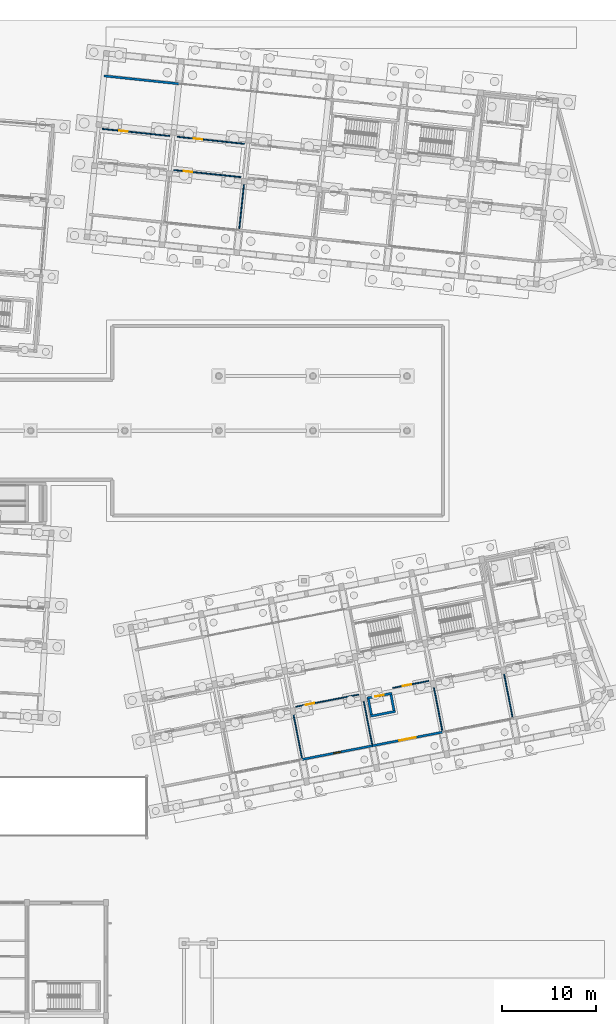
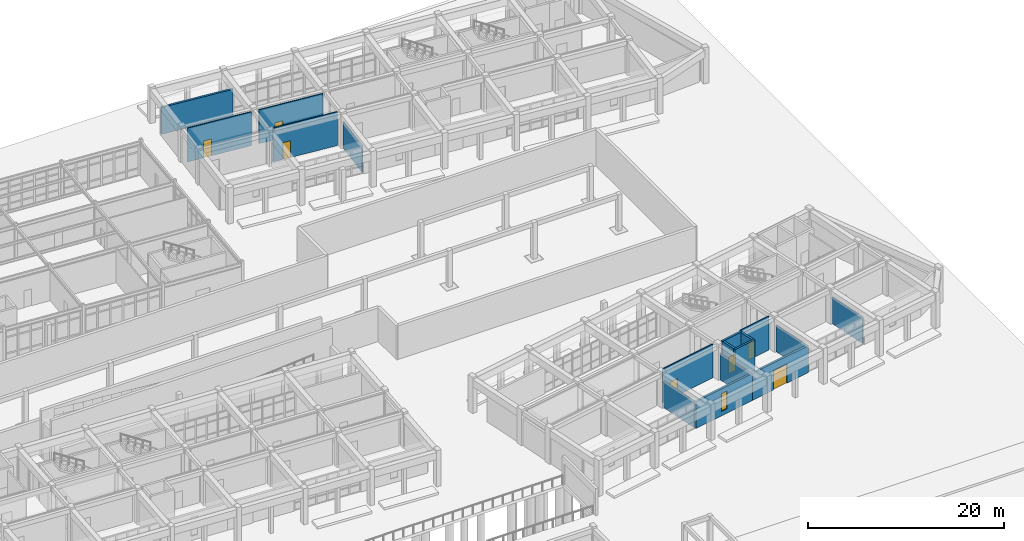
# One storey, part 127 of 154: 17 walls, 7 doors, 1 window, 8 openings.
"""IFC4 building model written with IfcOpenShell, lengths in metres."""

from ifc_helpers import new_model, si_unit, direction, frame, frame_2d, origin, place, context, subcontext, project, spatial, rectangle, extrude, material, layer, layer_set, type_object, element, fill, save


model = new_model("IFC4")

# Units and contexts
model_context = context("Model", 3, precision=1e-05, world=origin(), true_north=direction((0.0, 1.0)))
body_context = subcontext(model_context, "Body", "Model", "MODEL_VIEW")
ifc_project = project(units=[si_unit("LENGTHUNIT", "METRE"), si_unit("AREAUNIT", "SQUARE_METRE"), si_unit("VOLUMEUNIT", "CUBIC_METRE"), si_unit("PLANEANGLEUNIT", "RADIAN"), si_unit("MASSUNIT", "GRAM", prefix="KILO")], contexts=[model_context])

# Site, building, storey
site_placement = place(None, origin())
site = spatial("IfcSite", under=ifc_project, at=site_placement, CompositionType="ELEMENT")
building_placement = place(site_placement, origin())
building = spatial("IfcBuilding", under=site, at=building_placement, Name="Kestramere Prow Commons", CompositionType="ELEMENT")
storey_placement = place(building_placement, origin())
storey = spatial("IfcBuildingStorey", under=building, at=storey_placement, Name="L00", CompositionType="ELEMENT", Elevation=0.0)

# Wall
ifc_material_1 = material(Name="Fluoropolymer Standing-Seam Zinc-Aluminium Cladding", Category="aluminium")
ifc_layer_1 = layer(ifc_material_1, 0.239990234375)
ifc_layer_set_1 = layer_set([ifc_layer_1], Name="Fluoropolymer Standing-Seam Zinc-Aluminium Cladding")
wall_type_1 = type_object("IfcWallType", Name="EW-SEAM-240", PredefinedType="SOLIDWALL", material=ifc_layer_set_1)
wall_1_placement = place(storey_placement, frame((111.7978515625, 111.90576171875, 0.0), z_axis=(0.0, 0.0, 1.0), x_axis=(0.994522662826, -0.104521161134, 0.0)))
element("IfcWall", 1, at=wall_1_placement, inside=storey, type_object=wall_type_1, Name="Block B L00 North Recessed Wall 1", PredefinedType="SOLIDWALL", context=body_context, shape_type="SweptSolid", body=[
    extrude(rectangle(XDim=8.0, YDim=0.239990234375, at=frame_2d((4.0, 0.0))), origin(), (0.0, 0.0, 1.0), 3.35009765625),
])

# Wall, opening, window
wall_2_placement = place(storey_placement, frame((140.3232421875, 40.706298828125, 0.0), z_axis=(0.0, 0.0, 1.0), x_axis=(-0.981626422232, -0.190812911449, 0.0)))
wall_2 = element("IfcWall", 2, at=wall_2_placement, inside=storey, type_object=wall_type_1, Name="Block D L00 South Recessed Wall 3", PredefinedType="SOLIDWALL", context=body_context, shape_type="SweptSolid", body=[
    extrude(rectangle(XDim=7.60009765625, YDim=0.239990234375, at=frame_2d((3.800048828125, 0.0))), origin(), (0.0, 0.0, 1.0), 3.35009765625),
])
opening_1_placement = place(wall_2_placement, frame((3.409912109375, 0.0, 0.550048828125)))
opening_1 = element("IfcOpeningElement", 3, at=opening_1_placement, cuts=wall_2, Name="Opening WN-11", PredefinedType="OPENING", context=body_context, shape_type="SweptSolid", body=[
    extrude(rectangle(XDim=0.780029296875, YDim=2.199951171875, at=frame_2d((0.39013671875, 1.10009765625))), frame((0.0, 0.135009765625, 0.0), z_axis=(0.0, -1.0, 0.0), x_axis=(1.0, 0.0, 0.0)), (0.0, 0.0, 1.0), 0.27001953125),
])
ifc_material_2 = material(Name="Low-E Laminated Double Glazing", Category="glass")
window_type = type_object("IfcWindowType", Name="WN-NAR-780A", PartitioningType="SINGLE_PANEL", PredefinedType="WINDOW", material=ifc_material_2)
window_placement = place(opening_1_placement, origin())
window = element("IfcWindow", 4, at=window_placement, inside=storey, type_object=window_type, Name="WN-D-L00-S-2", OverallHeight=2.199951171875, OverallWidth=0.780029296875, PartitioningType="SINGLE_PANEL", PredefinedType="WINDOW", context=body_context, shape_type="SweptSolid", body=[
    extrude(rectangle(XDim=0.780029296875, YDim=2.199951171875, at=frame_2d((0.39013671875, 1.10009765625))), frame((0.0, 0.030029296875, 0.0), z_axis=(0.0, -1.0, 0.0), x_axis=(1.0, 0.0, 0.0)), (0.0, 0.0, 1.0), 0.06005859375),
])
fill(opening_1, window)

# Wall, opening, door
wall_3_placement = place(storey_placement, frame((147.783447265625, 42.156494140625, 0.0), z_axis=(0.0, 0.0, 1.0), x_axis=(-0.981625252578, -0.19081892857, 0.0)))
wall_3 = element("IfcWall", 5, at=wall_3_placement, inside=storey, type_object=wall_type_1, Name="Block D L00 South Recessed Wall 4", PredefinedType="SOLIDWALL", context=body_context, shape_type="SweptSolid", body=[
    extrude(rectangle(XDim=7.599853515625, YDim=0.239990234375, at=frame_2d((3.7998046875, 0.0))), origin(), (0.0, 0.0, 1.0), 3.35009765625),
])
opening_2_placement = place(wall_3_placement, frame((2.89990234375, 0.0, 0.0)))
opening_2 = element("IfcOpeningElement", 6, at=opening_2_placement, cuts=wall_3, Name="Opening ED-01", PredefinedType="OPENING", context=body_context, shape_type="SweptSolid", body=[
    extrude(rectangle(XDim=1.800048828125, YDim=2.39990234375, at=frame_2d((0.89990234375, 1.199951171875))), frame((0.0, 0.135009765625, 0.0), z_axis=(0.0, -1.0, 0.0), x_axis=(1.0, 0.0, 0.0)), (0.0, 0.0, 1.0), 0.27001953125),
])
ifc_material_3 = material(Name="Thermally-Broken Anodised Aluminium Glazed", Category="aluminium")
door_type_1 = type_object("IfcDoorType", Name="ED-MAIN-1800", OperationType="DOUBLE_DOOR_SINGLE_SWING", PredefinedType="DOOR", material=ifc_material_3)
door_1_placement = place(opening_2_placement, origin())
door_1 = element("IfcDoor", 7, at=door_1_placement, inside=storey, type_object=door_type_1, Name="Block D Main Sheltered Entrance Door", OperationType="DOUBLE_DOOR_SINGLE_SWING", OverallHeight=2.39990234375, OverallWidth=1.800048828125, PredefinedType="DOOR", context=body_context, shape_type="SweptSolid", body=[
    extrude(rectangle(XDim=1.800048828125, YDim=2.39990234375, at=frame_2d((0.89990234375, 1.199951171875))), frame((0.0, 0.02490234375, 0.0), z_axis=(0.0, -1.0, 0.0), x_axis=(1.0, 0.0, 0.0)), (0.0, 0.0, 1.0), 0.050048828125),
])
fill(opening_2, door_1)

# Wall
ifc_material_4 = material(Name="Concrete C40/50", Category="concrete")
ifc_layer_2 = layer(ifc_material_4, 0.25)
ifc_layer_set_2 = layer_set([ifc_layer_2], Name="Concrete C40/50")
wall_type_2 = type_object("IfcWallType", Name="W-HS-250", PredefinedType="SHEAR", material=ifc_layer_set_2)
wall_4_placement = place(storey_placement, frame((140.11962890625, 43.850341796875, -0.35009765625), z_axis=(0.0, 0.0, 1.0), x_axis=(0.981630445883, 0.190792210834, 0.0)))
element("IfcWall", 8, at=wall_4_placement, inside=storey, type_object=wall_type_2, Name="Block D L00 Household Shelter South Wall", PredefinedType="SHEAR", context=body_context, shape_type="SweptSolid", body=[
    extrude(rectangle(XDim=2.699951171875, YDim=0.25, at=frame_2d((1.35009765625, 0.0))), origin(), (0.0, 0.0, 1.0), 4.85009765625),
])

# Wall, opening, door
wall_5_placement = place(storey_placement, frame((139.74755859375, 45.764404296875, -0.35009765625), z_axis=(0.0, 0.0, 1.0), x_axis=(0.981630445883, 0.190792210834, 0.0)))
wall_5 = element("IfcWall", 9, at=wall_5_placement, inside=storey, type_object=wall_type_2, Name="Block D L00 Household Shelter North Wall", PredefinedType="SHEAR", context=body_context, shape_type="SweptSolid", body=[
    extrude(rectangle(XDim=2.699951171875, YDim=0.25, at=frame_2d((1.35009765625, 0.0))), origin(), (0.0, 0.0, 1.0), 4.85009765625),
])
opening_3_placement = place(wall_5_placement, frame((0.89990234375, 0.0, 0.35009765625)))
opening_3 = element("IfcOpeningElement", 10, at=opening_3_placement, cuts=wall_5, Name="Opening ID-06", PredefinedType="OPENING", context=body_context, shape_type="SweptSolid", body=[
    extrude(rectangle(XDim=0.89990234375, YDim=2.050048828125, at=frame_2d((0.449951171875, 1.02490234375))), frame((0.0, 0.139892578125, 0.0), z_axis=(0.0, -1.0, 0.0), x_axis=(1.0, 0.0, 0.0)), (0.0, 0.0, 1.0), 0.280029296875),
])
ifc_material_5 = material(Name="Galvanised Steel S275JR Household Shelter Door", Category="steel")
door_type_2 = type_object("IfcDoorType", Name="FD-HS-01", OperationType="NOTDEFINED", PredefinedType="DOOR", material=ifc_material_5)
door_2_placement = place(opening_3_placement, origin())
door_2 = element("IfcDoor", 11, at=door_2_placement, inside=storey, type_object=door_type_2, Name="Block D L00 Household Shelter Blast Door", OperationType="SINGLE_SWING_RIGHT", OverallHeight=2.050048828125, OverallWidth=0.89990234375, PredefinedType="DOOR", context=body_context, shape_type="SweptSolid", body=[
    extrude(rectangle(XDim=0.89990234375, YDim=2.050048828125, at=frame_2d((0.449951171875, 1.02490234375))), frame((0.0, 0.02490234375, 0.0), z_axis=(0.0, -1.0, 0.0), x_axis=(1.0, 0.0, 0.0)), (0.0, 0.0, 1.0), 0.050048828125),
])
fill(opening_3, door_2)

# Walls
for number, where, z_axis, x_axis, name in (
    (12, (140.21826171875, 43.996826171875, -0.35009765625), (0.0, 0.0, 1.0), (-0.190727425199, 0.981643035567, 0.0), "Block D L00 Household Shelter W Wall"),
    (13, (142.623291015625, 44.46435546875, -0.35009765625), (0.0, 0.0, 1.0), (-0.190727425199, 0.981643035567, 0.0), "Block D L00 Household Shelter E Wall"),
):
    element("IfcWall", number, at=place(storey_placement, frame(where, z_axis=z_axis, x_axis=x_axis)), inside=storey, type_object=wall_type_2, Name=name, PredefinedType="SHEAR", context=body_context, shape_type="SweptSolid", body=[
        extrude(rectangle(XDim=1.699951171875, YDim=0.25, at=frame_2d((0.85009765625, 0.0))), origin(), (0.0, 0.0, 1.0), 4.85009765625),
    ])

# Wall, opening, door
ifc_material_6 = material(Name="Lightweight Blockwork and Plaster", Category="masonry")
ifc_layer_3 = layer(ifc_material_6, 0.1201171875)
ifc_layer_set_3 = layer_set([ifc_layer_3], Name="Lightweight Blockwork and Plaster")
wall_type_3 = type_object("IfcWallType", Name="W-PART-120", PredefinedType="PARTITIONING", material=ifc_layer_set_3)
wall_6_placement = place(storey_placement, frame((119.1923828125, 101.89794921875, 0.0), z_axis=(0.0, 0.0, 1.0), x_axis=(0.994524017661, -0.104508269032, 0.0)))
wall_6 = element("IfcWall", 14, at=wall_6_placement, inside=storey, type_object=wall_type_3, Name="Interior Partition PW-B-L00-CS-1", PredefinedType="PARTITIONING", context=body_context, shape_type="SweptSolid", body=[
    extrude(rectangle(XDim=7.19970703125, YDim=0.1201171875, at=frame_2d((3.599853515625, 0.0))), origin(), (0.0, 0.0, 1.0), 4.219970703125),
])
opening_4_placement = place(wall_6_placement, frame((1.10009765625, 0.0, 0.0)))
opening_4 = element("IfcOpeningElement", 15, at=opening_4_placement, cuts=wall_6, Name="Opening ID-10", PredefinedType="OPENING", context=body_context, shape_type="SweptSolid", body=[
    extrude(rectangle(XDim=0.8798828125, YDim=2.10009765625, at=frame_2d((0.43994140625, 1.050048828125))), frame((0.0, 0.074951171875, 0.0), z_axis=(0.0, -1.0, 0.0), x_axis=(1.0, 0.0, 0.0)), (0.0, 0.0, 1.0), 0.150146484375),
])
ifc_material_7 = material(Name="Engineered Timber Bedroom Door", Category="wood")
door_type_3 = type_object("IfcDoorType", Name="D-RM-03", OperationType="NOTDEFINED", PredefinedType="DOOR", material=ifc_material_7)
door_3_placement = place(opening_4_placement, origin())
door_3 = element("IfcDoor", 16, at=door_3_placement, inside=storey, type_object=door_type_3, Name="Interior Door DR-B-L00-S-1", OperationType="SINGLE_SWING_RIGHT", OverallHeight=2.10009765625, OverallWidth=0.8798828125, PredefinedType="DOOR", context=body_context, shape_type="SweptSolid", body=[
    extrude(rectangle(XDim=0.8798828125, YDim=2.10009765625, at=frame_2d((0.43994140625, 1.050048828125))), frame((0.0, 0.02490234375, 0.0), z_axis=(0.0, -1.0, 0.0), x_axis=(1.0, 0.0, 0.0)), (0.0, 0.0, 1.0), 0.050048828125),
])
fill(opening_4, door_3)

# Wall
wall_7_placement = place(storey_placement, frame((126.1767578125, 95.643798828125, 0.0), z_axis=(0.0, 0.0, 1.0), x_axis=(0.104561446505, 0.994518428137, 0.0)))
element("IfcWall", 17, at=wall_7_placement, inside=storey, type_object=wall_type_3, Name="Interior Partition PW-B-L00-DVS-2", PredefinedType="PARTITIONING", context=body_context, shape_type="SweptSolid", body=[
    extrude(rectangle(XDim=4.73974609375, YDim=0.1201171875, at=frame_2d((2.369873046875, 0.0))), origin(), (0.0, 0.0, 1.0), 3.320068359375),
])

# Wall, opening, door
wall_8_placement = place(storey_placement, frame((111.608154296875, 106.274658203125, 0.0), z_axis=(0.0, 0.0, 1.0), x_axis=(0.994524387998, -0.10450474476, 0.0)))
wall_8 = element("IfcWall", 18, at=wall_8_placement, inside=storey, type_object=wall_type_3, Name="Interior Partition PW-B-L00-CN-0", PredefinedType="PARTITIONING", context=body_context, shape_type="SweptSolid", body=[
    extrude(rectangle(XDim=7.199951171875, YDim=0.1201171875, at=frame_2d((3.60009765625, 0.0))), origin(), (0.0, 0.0, 1.0), 4.219970703125),
])
opening_5_placement = place(wall_8_placement, frame((1.800048828125, 0.0, 0.0)))
opening_5 = element("IfcOpeningElement", 19, at=opening_5_placement, cuts=wall_8, Name="Opening ID-08", PredefinedType="OPENING", context=body_context, shape_type="SweptSolid", body=[
    extrude(rectangle(XDim=0.89990234375, YDim=2.10009765625, at=frame_2d((0.449951171875, 1.050048828125))), frame((0.0, 0.074951171875, 0.0), z_axis=(0.0, -1.0, 0.0), x_axis=(1.0, 0.0, 0.0)), (0.0, 0.0, 1.0), 0.150146484375),
])
ifc_material_8 = material(Name="Engineered Timber Flush Door", Category="wood")
door_type_4 = type_object("IfcDoorType", Name="D-RM-01", OperationType="NOTDEFINED", PredefinedType="DOOR", material=ifc_material_8)
door_4_placement = place(opening_5_placement, origin())
door_4 = element("IfcDoor", 20, at=door_4_placement, inside=storey, type_object=door_type_4, Name="Interior Door DR-B-L00-N-0", OperationType="SINGLE_SWING_RIGHT", OverallHeight=2.10009765625, OverallWidth=0.89990234375, PredefinedType="DOOR", context=body_context, shape_type="SweptSolid", body=[
    extrude(rectangle(XDim=0.89990234375, YDim=2.10009765625, at=frame_2d((0.449951171875, 1.050048828125))), frame((0.0, 0.02490234375, 0.0), z_axis=(0.0, -1.0, 0.0), x_axis=(1.0, 0.0, 0.0)), (0.0, 0.0, 1.0), 0.050048828125),
])
fill(opening_5, door_4)

wall_9_placement = place(storey_placement, frame((119.564453125, 105.4384765625, 0.0), z_axis=(0.0, 0.0, 1.0), x_axis=(0.994524387998, -0.10450474476, 0.0)))
wall_9 = element("IfcWall", 21, at=wall_9_placement, inside=storey, type_object=wall_type_3, Name="Interior Partition PW-B-L00-CN-1", PredefinedType="PARTITIONING", context=body_context, shape_type="SweptSolid", body=[
    extrude(rectangle(XDim=7.199951171875, YDim=0.1201171875, at=frame_2d((3.60009765625, 0.0))), origin(), (0.0, 0.0, 1.0), 4.219970703125),
])
opening_6_placement = place(wall_9_placement, frame((1.800048828125, 0.0, 0.0)))
opening_6 = element("IfcOpeningElement", 22, at=opening_6_placement, cuts=wall_9, Name="Opening ID-10", PredefinedType="OPENING", context=body_context, shape_type="SweptSolid", body=[
    extrude(rectangle(XDim=0.8798828125, YDim=2.10009765625, at=frame_2d((0.43994140625, 1.050048828125))), frame((0.0, 0.074951171875, 0.0), z_axis=(0.0, -1.0, 0.0), x_axis=(1.0, 0.0, 0.0)), (0.0, 0.0, 1.0), 0.150146484375),
])
door_5_placement = place(opening_6_placement, origin())
door_5 = element("IfcDoor", 23, at=door_5_placement, inside=storey, type_object=door_type_3, Name="Interior Door DR-B-L00-N-1", OperationType="SINGLE_SWING_LEFT", OverallHeight=2.10009765625, OverallWidth=0.8798828125, PredefinedType="DOOR", context=body_context, shape_type="SweptSolid", body=[
    extrude(rectangle(XDim=0.8798828125, YDim=2.10009765625, at=frame_2d((0.43994140625, 1.050048828125))), frame((0.0, 0.02490234375, 0.0), z_axis=(0.0, -1.0, 0.0), x_axis=(1.0, 0.0, 0.0)), (0.0, 0.0, 1.0), 0.050048828125),
])
fill(opening_6, door_5)

wall_10_placement = place(storey_placement, frame((132.18310546875, 44.849365234375, 0.0), z_axis=(0.0, 0.0, 1.0), x_axis=(0.981630895566, 0.190789897189, 0.0)))
wall_10 = element("IfcWall", 24, at=wall_10_placement, inside=storey, type_object=wall_type_3, Name="Interior Partition PW-D-L00-CS-2", PredefinedType="PARTITIONING", context=body_context, shape_type="SweptSolid", body=[
    extrude(rectangle(XDim=6.800048828125, YDim=0.1201171875, at=frame_2d((3.39990234375, 0.0))), origin(), (0.0, 0.0, 1.0), 4.219970703125),
])
opening_7_placement = place(wall_10_placement, frame((1.10009765625, 0.0, 0.0)))
opening_7 = element("IfcOpeningElement", 25, at=opening_7_placement, cuts=wall_10, Name="Opening ID-08", PredefinedType="OPENING", context=body_context, shape_type="SweptSolid", body=[
    extrude(rectangle(XDim=0.89990234375, YDim=2.10009765625, at=frame_2d((0.449951171875, 1.050048828125))), frame((0.0, 0.074951171875, 0.0), z_axis=(0.0, -1.0, 0.0), x_axis=(1.0, 0.0, 0.0)), (0.0, 0.0, 1.0), 0.150146484375),
])
door_6_placement = place(opening_7_placement, origin())
door_6 = element("IfcDoor", 26, at=door_6_placement, inside=storey, type_object=door_type_4, Name="Interior Door DR-D-L00-S-2", OperationType="SINGLE_SWING_LEFT", OverallHeight=2.10009765625, OverallWidth=0.89990234375, PredefinedType="DOOR", context=body_context, shape_type="SweptSolid", body=[
    extrude(rectangle(XDim=0.89990234375, YDim=2.10009765625, at=frame_2d((0.449951171875, 1.050048828125))), frame((0.0, 0.02490234375, 0.0), z_axis=(0.0, -1.0, 0.0), x_axis=(1.0, 0.0, 0.0)), (0.0, 0.0, 1.0), 0.050048828125),
])
fill(opening_7, door_6)

# Wall
wall_11_placement = place(storey_placement, frame((132.837890625, 39.3837890625, 0.0), z_axis=(0.0, 0.0, 1.0), x_axis=(-0.190784182555, 0.981632006246, 0.0)))
element("IfcWall", 27, at=wall_11_placement, inside=storey, type_object=wall_type_3, Name="Interior Partition PW-D-L00-DVS-2", PredefinedType="PARTITIONING", context=body_context, shape_type="SweptSolid", body=[
    extrude(rectangle(XDim=4.739990234375, YDim=0.1201171875, at=frame_2d((2.3701171875, 0.0))), origin(), (0.0, 0.0, 1.0), 3.320068359375),
])

# Wall, opening, door
wall_12_placement = place(storey_placement, frame((142.490234375, 46.852783203125, 0.0), z_axis=(0.0, 0.0, 1.0), x_axis=(0.981628093632, 0.190804312824, 0.0)))
wall_12 = element("IfcWall", 28, at=wall_12_placement, inside=storey, type_object=wall_type_3, Name="Interior Partition PW-D-L00-CS-3", PredefinedType="PARTITIONING", context=body_context, shape_type="SweptSolid", body=[
    extrude(rectangle(XDim=3.89990234375, YDim=0.1201171875, at=frame_2d((1.949951171875, 0.0))), origin(), (0.0, 0.0, 1.0), 4.219970703125),
])
opening_8_placement = place(wall_12_placement, frame((1.10009765625, 0.0, 0.0)))
opening_8 = element("IfcOpeningElement", 29, at=opening_8_placement, cuts=wall_12, Name="Opening ID-10", PredefinedType="OPENING", context=body_context, shape_type="SweptSolid", body=[
    extrude(rectangle(XDim=0.8798828125, YDim=2.10009765625, at=frame_2d((0.43994140625, 1.050048828125))), frame((0.0, 0.074951171875, 0.0), z_axis=(0.0, -1.0, 0.0), x_axis=(1.0, 0.0, 0.0)), (0.0, 0.0, 1.0), 0.150146484375),
])
door_7_placement = place(opening_8_placement, origin())
door_7 = element("IfcDoor", 30, at=door_7_placement, inside=storey, type_object=door_type_3, Name="Interior Door DR-D-L00-S-3", OperationType="SINGLE_SWING_RIGHT", OverallHeight=2.10009765625, OverallWidth=0.8798828125, PredefinedType="DOOR", context=body_context, shape_type="SweptSolid", body=[
    extrude(rectangle(XDim=0.8798828125, YDim=2.10009765625, at=frame_2d((0.43994140625, 1.050048828125))), frame((0.0, 0.02490234375, 0.0), z_axis=(0.0, -1.0, 0.0), x_axis=(1.0, 0.0, 0.0)), (0.0, 0.0, 1.0), 0.050048828125),
])
fill(opening_8, door_7)

# Walls
for number, where, z_axis, x_axis, name in (
    (31, (140.29833984375, 40.833984375, 0.0), (0.0, 0.0, 1.0), (-0.190833814627, 0.981622358748, 0.0), "Interior Partition PW-D-L00-DVS-3"),
    (32, (147.7587890625, 42.2841796875, 0.0), (0.0, 0.0, 1.0), (-0.190833814627, 0.981622358748, 0.0), "Interior Partition PW-D-L00-DVS-4"),
    (33, (155.218994140625, 43.734375, 0.0), (0.0, 0.0, 1.0), (-0.190784182555, 0.981632006246, 0.0), "Interior Partition PW-D-L00-DVS-5"),
):
    element("IfcWall", number, at=place(storey_placement, frame(where, z_axis=z_axis, x_axis=x_axis)), inside=storey, type_object=wall_type_3, Name=name, PredefinedType="PARTITIONING", context=body_context, shape_type="SweptSolid", body=[
        extrude(rectangle(XDim=4.739990234375, YDim=0.1201171875, at=frame_2d((2.3701171875, 0.0))), origin(), (0.0, 0.0, 1.0), 3.320068359375),
    ])

save(model, "model.ifc")
